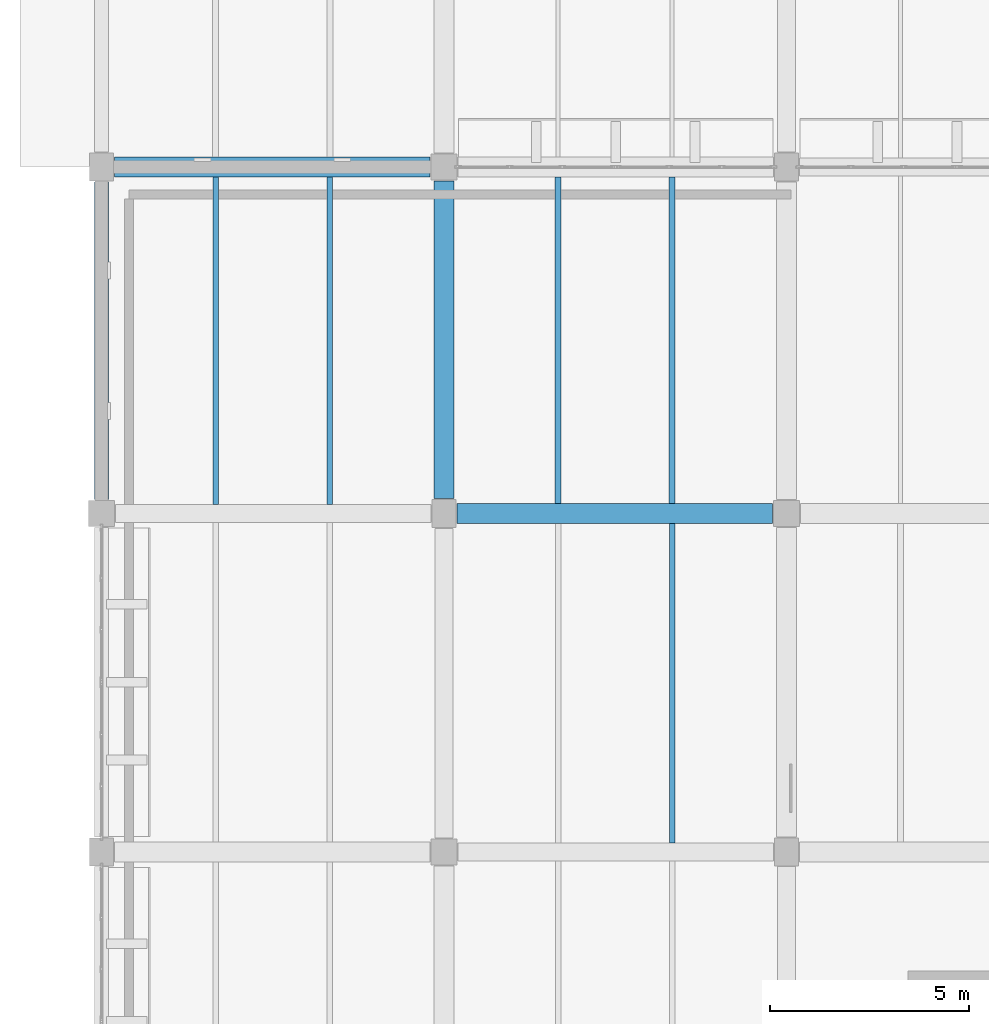
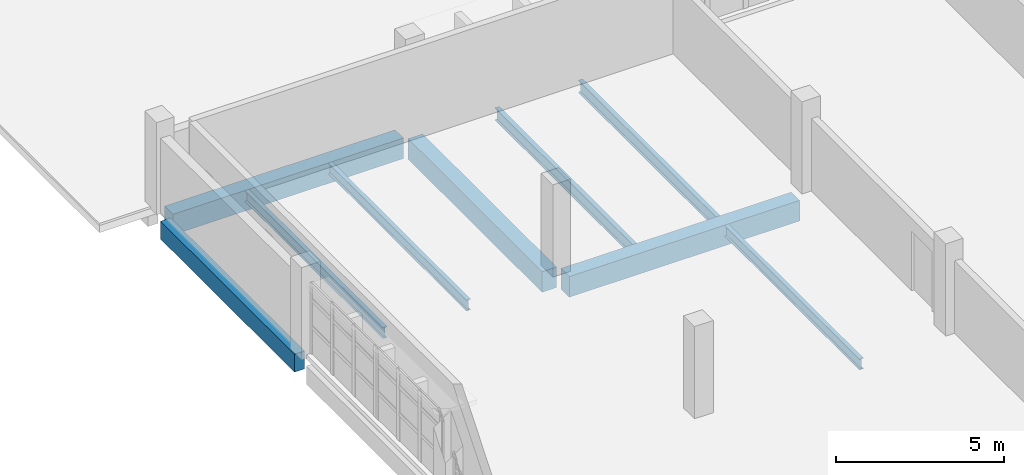
# One storey, part 58 of 93: 9 beams.
"""IFC4 building model written with IfcOpenShell, lengths in metres."""

from ifc_helpers import new_model, si_unit, direction, frame, origin, origin_2d, place, context, subcontext, project, spatial, rectangle, i_section, extrude, material, material_profile, profile_set, type_object, element, save


model = new_model("IFC4")

# Units and contexts
model_context = context("Model", 3, precision=1e-05, world=origin(), true_north=direction((0.0, 1.0)))
body_context = subcontext(model_context, "Body", "Model", "MODEL_VIEW")
ifc_project = project(units=[si_unit("LENGTHUNIT", "METRE"), si_unit("AREAUNIT", "SQUARE_METRE"), si_unit("VOLUMEUNIT", "CUBIC_METRE"), si_unit("PLANEANGLEUNIT", "RADIAN"), si_unit("MASSUNIT", "GRAM", prefix="KILO")], contexts=[model_context])

# Site, building, storey
site_placement = place(None, origin())
site = spatial("IfcSite", under=ifc_project, at=site_placement, CompositionType="ELEMENT")
building_placement = place(site_placement, origin())
building = spatial("IfcBuilding", under=site, at=building_placement, Name="Varnakota Cinema and Media Centre", CompositionType="ELEMENT")
storey_placement = place(building_placement, frame((0.0, 0.0, 12.0)))
storey = spatial("IfcBuildingStorey", under=building, at=storey_placement, Name="L03", CompositionType="ELEMENT", Elevation=12.0)

# Beams
ifc_material_1 = material(Name="Concrete M35", Category="concrete")
ifc_material_profile_1 = material_profile(ifc_material_1, rectangle(XDim=0.5, YDim=0.75, at=origin_2d()), Name="RCB 500x750")
ifc_profile_set_1 = profile_set([ifc_material_profile_1], Name="Concrete M35")
beam_type_1 = type_object("IfcBeamType", Name="BM-RC-500x750", PredefinedType="BEAM", material=ifc_profile_set_1)
for number, where, z_axis, x_axis, name in (
    (1, (8.925048828125, 69.5, -0.635009765625), (1.0, 0.0, 0.0), (0.0, 1.0, 0.0), "L03 girder B-C/9"),
    (2, (0.324951171875, 78.199951171875, -0.635009765625), (1.0, 0.0, 0.0), (0.0, 1.0, 0.0), "L03 girder A-B/10"),
):
    element("IfcBeam", number, at=place(storey_placement, frame(where, z_axis=z_axis, x_axis=x_axis)), inside=storey, type_object=beam_type_1, Name=name, PredefinedType="BEAM", context=body_context, shape_type="SweptSolid", body=[
        extrude(rectangle(XDim=0.5, YDim=0.75, at=origin_2d()), origin(), (0.0, 0.0, 1.0), 7.925048828125),
    ])
beam_1_placement = place(storey_placement, frame((8.60009765625, 69.875, -0.635009765625), z_axis=(0.0, 1.0, 0.0), x_axis=(-1.0, 0.0, 0.0)))
element("IfcBeam", 3, at=beam_1_placement, inside=storey, type_object=beam_type_1, Name="L03 girder B/9-10", PredefinedType="BEAM", context=body_context, shape_type="SweptSolid", body=[
    extrude(rectangle(XDim=0.5, YDim=0.75, at=origin_2d()), origin(), (0.0, 0.0, 1.0), 7.97509765625),
])
ifc_material_2 = material(Name="Concrete M40", Category="concrete")
ifc_material_profile_2 = material_profile(ifc_material_2, rectangle(XDim=0.35009765625, YDim=0.64990234375, at=origin_2d()), Name="RCB 350x650")
ifc_profile_set_2 = profile_set([ifc_material_profile_2], Name="Concrete M40")
beam_type_2 = type_object("IfcBeamType", Name="BM-SP-350x650", PredefinedType="SPANDREL", material=ifc_profile_set_2)
beam_2_placement = place(storey_placement, frame((0.0, 69.85009765625, -0.5849609375), z_axis=(0.0, 1.0, 0.0), x_axis=(-1.0, 0.0, 0.0)))
element("IfcBeam", 4, at=beam_2_placement, inside=storey, type_object=beam_type_2, Name="L03 girder A/9-10", PredefinedType="SPANDREL", context=body_context, shape_type="SweptSolid", body=[
    extrude(rectangle(XDim=0.35009765625, YDim=0.64990234375, at=origin_2d()), origin(), (0.0, 0.0, 1.0), 7.974853515625),
])
ifc_material_3 = material(Name="Structural steel Grade 350 (E350)", Category="steel")
ifc_material_profile_3 = material_profile(ifc_material_3, i_section(OverallWidth=0.139892578125, OverallDepth=0.39990234375, WebThickness=0.0087890625, FlangeThickness=0.01611328125, FilletRadius=0.013916015625, at=origin_2d()), Name="ISMB 400")
ifc_profile_set_3 = profile_set([ifc_material_profile_3], Name="Structural steel Grade 350 (E350)")
beam_type_3 = type_object("IfcBeamType", Name="BM-ST-ISMB400", PredefinedType="JOIST", material=ifc_profile_set_3)
for number, where, z_axis, x_axis, name in (
    (5, (2.86669921875, 69.72509765625, -0.4599609375), (0.0, 1.0, 0.0), (-1.0, 0.0, 0.0), "L03 steel joist A-B/9-10 #1"),
    (6, (5.7333984375, 69.72509765625, -0.4599609375), (0.0, 1.0, 0.0), (-1.0, 0.0, 0.0), "L03 steel joist A-B/9-10 #2"),
):
    element("IfcBeam", number, at=place(storey_placement, frame(where, z_axis=z_axis, x_axis=x_axis)), inside=storey, type_object=beam_type_3, Name=name, PredefinedType="JOIST", context=body_context, shape_type="SweptSolid", body=[
        extrude(i_section(OverallWidth=0.139892578125, OverallDepth=0.39990234375, WebThickness=0.0087890625, FlangeThickness=0.01611328125, FilletRadius=0.013916015625, at=origin_2d()), origin(), (0.0, 0.0, 1.0), 8.224853515625),
    ])
beam_3_placement = place(storey_placement, frame((14.333251953125, 61.22509765625, -0.4599609375), z_axis=(0.0, 1.0, 0.0), x_axis=(-1.0, 0.0, 0.0)))
element("IfcBeam", 7, at=beam_3_placement, inside=storey, type_object=beam_type_3, Name="L03 steel joist B-C/8-9 #2", PredefinedType="JOIST", context=body_context, shape_type="SweptSolid", body=[
    extrude(i_section(OverallWidth=0.139892578125, OverallDepth=0.39990234375, WebThickness=0.0087890625, FlangeThickness=0.01611328125, FilletRadius=0.013916015625, at=origin_2d()), origin(), (0.0, 0.0, 1.0), 8.02490234375),
])
ifc_material_4 = material(Name="Structural steel Grade 350 (E350)", Category="steel")
ifc_material_profile_4 = material_profile(ifc_material_4, i_section(OverallWidth=0.14990234375, OverallDepth=0.449951171875, WebThickness=0.009521484375, FlangeThickness=0.017333984375, FilletRadius=0.014892578125, at=origin_2d()), Name="ISMB 450")
ifc_profile_set_4 = profile_set([ifc_material_profile_4], Name="Structural steel Grade 350 (E350)")
beam_type_4 = type_object("IfcBeamType", Name="BM-ST-ISMB450", PredefinedType="BEAM", material=ifc_profile_set_4)
for number, where, z_axis, x_axis, name in (
    (8, (11.466796875, 69.75, -0.485107421875), (0.0, 1.0, 0.0), (-1.0, 0.0, 0.0), "L03 steel joist B-C/9-10 #1"),
    (9, (14.333251953125, 69.75, -0.485107421875), (0.0, 1.0, 0.0), (-1.0, 0.0, 0.0), "L03 steel joist B-C/9-10 #2"),
):
    element("IfcBeam", number, at=place(storey_placement, frame(where, z_axis=z_axis, x_axis=x_axis)), inside=storey, type_object=beam_type_4, Name=name, PredefinedType="BEAM", context=body_context, shape_type="SweptSolid", body=[
        extrude(i_section(OverallWidth=0.14990234375, OverallDepth=0.449951171875, WebThickness=0.009521484375, FlangeThickness=0.017333984375, FilletRadius=0.014892578125, at=origin_2d()), origin(), (0.0, 0.0, 1.0), 8.199951171875),
    ])

save(model, "model.ifc")
